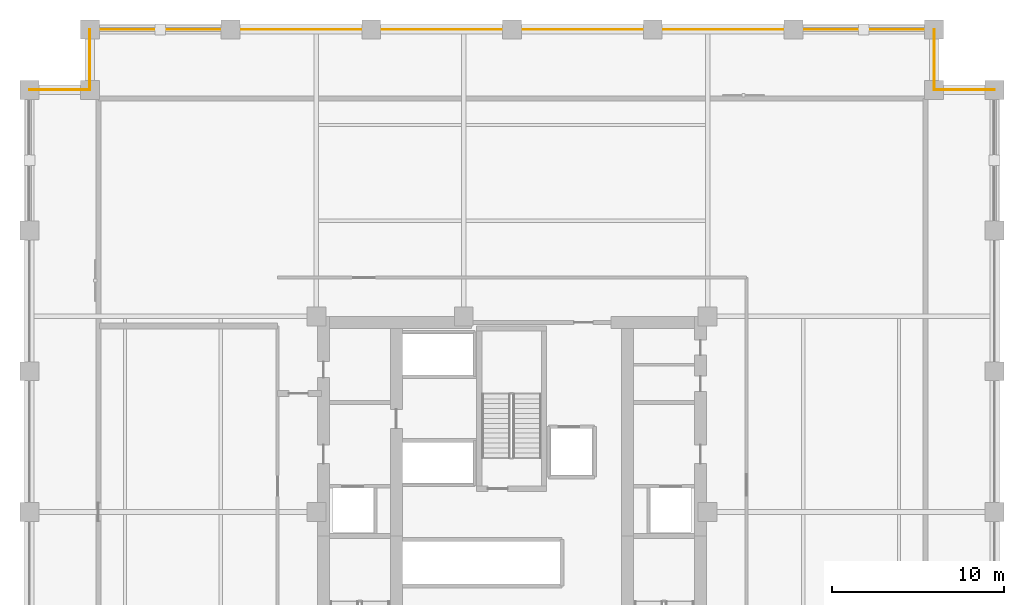
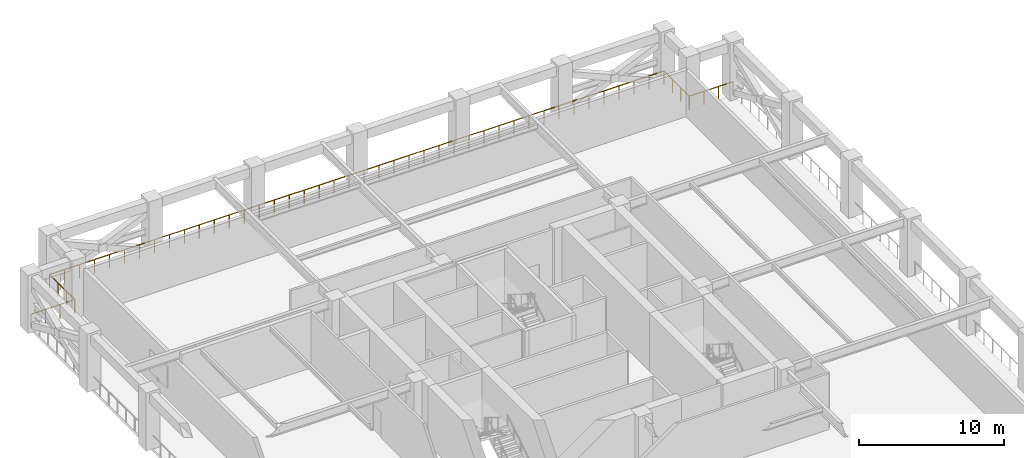
# One storey, part 11 of 11: 5 railings.
"""IFC4 building model written with IfcOpenShell, lengths in metres."""

from ifc_helpers import new_model, si_unit, direction, frame, origin, origin_2d, place, context, subcontext, project, spatial, circle, extrude, material, type_object, element, save


model = new_model("IFC4")

# Units and contexts
model_context = context("Model", 3, precision=1e-05, world=origin(), true_north=direction((0.0, 1.0)))
body_context = subcontext(model_context, "Body", "Model", "MODEL_VIEW")
ifc_project = project(units=[si_unit("LENGTHUNIT", "METRE"), si_unit("AREAUNIT", "SQUARE_METRE"), si_unit("VOLUMEUNIT", "CUBIC_METRE"), si_unit("PLANEANGLEUNIT", "RADIAN"), si_unit("MASSUNIT", "GRAM", prefix="KILO")], contexts=[model_context])

# Site, building, storey
site_placement = place(None, origin())
site = spatial("IfcSite", under=ifc_project, at=site_placement, CompositionType="ELEMENT")
building_placement = place(site_placement, origin())
building = spatial("IfcBuilding", under=site, at=building_placement, Name="Nhamokura Convention Tower", CompositionType="ELEMENT")
storey_placement = place(building_placement, frame((0.0, 0.0, 77.35009765625)))
storey = spatial("IfcBuildingStorey", under=building, at=storey_placement, Name="L18", CompositionType="ELEMENT", Elevation=77.35009765625)

# Railings
ifc_material = material(Name="Anodised bronze stainless steel", Category="steel")
railing_type = type_object("IfcRailingType", Name="TerraceGuardrail_1150", PredefinedType="GUARDRAIL", material=ifc_material)
railing_1_placement = place(storey_placement, frame((60.0, 56.5, 0.0)))
element("IfcRailing", 1, at=railing_1_placement, inside=storey, type_object=railing_type, Name="L18 Perimeter Guardrail 05", PredefinedType="GUARDRAIL", context=body_context, shape_type="SweptSolid", body=[
    extrude(circle(Radius=0.02392578125, at=origin_2d()), frame((0.0, 0.0, 1.1259765625), z_axis=(-1.0, 0.0, 0.0), x_axis=(0.0, -1.0, 0.0)), (0.0, 0.0, 1.0), 3.5),
    extrude(circle(Radius=0.02099609375, at=origin_2d()), origin(), (0.0, 0.0, 1.0), 1.101806640625),
    extrude(circle(Radius=0.02099609375, at=origin_2d()), frame((-1.166748046875, 0.0, 0.0)), (0.0, 0.0, 1.0), 1.101806640625),
    extrude(circle(Radius=0.02099609375, at=origin_2d()), frame((-2.333251953125, 0.0, 0.0)), (0.0, 0.0, 1.0), 1.101806640625),
    extrude(circle(Radius=0.02099609375, at=origin_2d()), frame((-3.5, 0.0, 0.0)), (0.0, 0.0, 1.0), 1.101806640625),
])
railing_2_placement = place(storey_placement, frame((56.5, 56.5, 0.0)))
element("IfcRailing", 2, at=railing_2_placement, inside=storey, type_object=railing_type, Name="L18 Perimeter Guardrail 06", PredefinedType="GUARDRAIL", context=body_context, shape_type="SweptSolid", body=[
    extrude(circle(Radius=0.02392578125, at=origin_2d()), frame((0.0, 0.0, 1.1259765625), z_axis=(0.0, 1.0, 0.0), x_axis=(-1.0, 0.0, 0.0)), (0.0, 0.0, 1.0), 3.5),
    extrude(circle(Radius=0.02099609375, at=origin_2d()), origin(), (0.0, 0.0, 1.0), 1.101806640625),
    extrude(circle(Radius=0.02099609375, at=origin_2d()), frame((0.0, 1.166748046875, 0.0)), (0.0, 0.0, 1.0), 1.101806640625),
    extrude(circle(Radius=0.02099609375, at=origin_2d()), frame((0.0, 2.333251953125, 0.0)), (0.0, 0.0, 1.0), 1.101806640625),
    extrude(circle(Radius=0.02099609375, at=origin_2d()), frame((0.0, 3.5, 0.0)), (0.0, 0.0, 1.0), 1.101806640625),
])
railing_3_placement = place(storey_placement, frame((56.5, 60.0, 0.0)))
element("IfcRailing", 3, at=railing_3_placement, inside=storey, type_object=railing_type, Name="L18 Perimeter Guardrail 07", PredefinedType="GUARDRAIL", context=body_context, shape_type="SweptSolid", body=[
    extrude(circle(Radius=0.02392578125, at=origin_2d()), frame((0.0, 0.0, 1.1259765625), z_axis=(-1.0, 0.0, 0.0), x_axis=(0.0, -1.0, 0.0)), (0.0, 0.0, 1.0), 49.0),
    extrude(circle(Radius=0.02099609375, at=origin_2d()), origin(), (0.0, 0.0, 1.0), 1.101806640625),
    extrude(circle(Radius=0.02099609375, at=origin_2d()), frame((-1.195068359375, 0.0, 0.0)), (0.0, 0.0, 1.0), 1.101806640625),
    extrude(circle(Radius=0.02099609375, at=origin_2d()), frame((-2.39013671875, 0.0, 0.0)), (0.0, 0.0, 1.0), 1.101806640625),
    extrude(circle(Radius=0.02099609375, at=origin_2d()), frame((-3.58544921875, 0.0, 0.0)), (0.0, 0.0, 1.0), 1.101806640625),
    extrude(circle(Radius=0.02099609375, at=origin_2d()), frame((-4.780517578125, 0.0, 0.0)), (0.0, 0.0, 1.0), 1.101806640625),
    extrude(circle(Radius=0.02099609375, at=origin_2d()), frame((-5.9755859375, 0.0, 0.0)), (0.0, 0.0, 1.0), 1.101806640625),
    extrude(circle(Radius=0.02099609375, at=origin_2d()), frame((-7.170654296875, 0.0, 0.0)), (0.0, 0.0, 1.0), 1.101806640625),
    extrude(circle(Radius=0.02099609375, at=origin_2d()), frame((-8.365966796875, 0.0, 0.0)), (0.0, 0.0, 1.0), 1.101806640625),
    extrude(circle(Radius=0.02099609375, at=origin_2d()), frame((-9.56103515625, 0.0, 0.0)), (0.0, 0.0, 1.0), 1.101806640625),
    extrude(circle(Radius=0.02099609375, at=origin_2d()), frame((-10.756103515625, 0.0, 0.0)), (0.0, 0.0, 1.0), 1.101806640625),
    extrude(circle(Radius=0.02099609375, at=origin_2d()), frame((-11.951171875, 0.0, 0.0)), (0.0, 0.0, 1.0), 1.101806640625),
    extrude(circle(Radius=0.02099609375, at=origin_2d()), frame((-13.146240234375, 0.0, 0.0)), (0.0, 0.0, 1.0), 1.101806640625),
    extrude(circle(Radius=0.02099609375, at=origin_2d()), frame((-14.341552734375, 0.0, 0.0)), (0.0, 0.0, 1.0), 1.101806640625),
    extrude(circle(Radius=0.02099609375, at=origin_2d()), frame((-15.53662109375, 0.0, 0.0)), (0.0, 0.0, 1.0), 1.101806640625),
    extrude(circle(Radius=0.02099609375, at=origin_2d()), frame((-16.731689453125, 0.0, 0.0)), (0.0, 0.0, 1.0), 1.101806640625),
    extrude(circle(Radius=0.02099609375, at=origin_2d()), frame((-17.9267578125, 0.0, 0.0)), (0.0, 0.0, 1.0), 1.101806640625),
    extrude(circle(Radius=0.02099609375, at=origin_2d()), frame((-19.1220703125, 0.0, 0.0)), (0.0, 0.0, 1.0), 1.101806640625),
    extrude(circle(Radius=0.02099609375, at=origin_2d()), frame((-20.317138671875, 0.0, 0.0)), (0.0, 0.0, 1.0), 1.101806640625),
    extrude(circle(Radius=0.02099609375, at=origin_2d()), frame((-21.51220703125, 0.0, 0.0)), (0.0, 0.0, 1.0), 1.101806640625),
    extrude(circle(Radius=0.02099609375, at=origin_2d()), frame((-22.707275390625, 0.0, 0.0)), (0.0, 0.0, 1.0), 1.101806640625),
    extrude(circle(Radius=0.02099609375, at=origin_2d()), frame((-23.90234375, 0.0, 0.0)), (0.0, 0.0, 1.0), 1.101806640625),
    extrude(circle(Radius=0.02099609375, at=origin_2d()), frame((-25.09765625, 0.0, 0.0)), (0.0, 0.0, 1.0), 1.101806640625),
    extrude(circle(Radius=0.02099609375, at=origin_2d()), frame((-26.292724609375, 0.0, 0.0)), (0.0, 0.0, 1.0), 1.101806640625),
    extrude(circle(Radius=0.02099609375, at=origin_2d()), frame((-27.48779296875, 0.0, 0.0)), (0.0, 0.0, 1.0), 1.101806640625),
    extrude(circle(Radius=0.02099609375, at=origin_2d()), frame((-28.682861328125, 0.0, 0.0)), (0.0, 0.0, 1.0), 1.101806640625),
    extrude(circle(Radius=0.02099609375, at=origin_2d()), frame((-29.8779296875, 0.0, 0.0)), (0.0, 0.0, 1.0), 1.101806640625),
    extrude(circle(Radius=0.02099609375, at=origin_2d()), frame((-31.0732421875, 0.0, 0.0)), (0.0, 0.0, 1.0), 1.101806640625),
    extrude(circle(Radius=0.02099609375, at=origin_2d()), frame((-32.268310546875, 0.0, 0.0)), (0.0, 0.0, 1.0), 1.101806640625),
    extrude(circle(Radius=0.02099609375, at=origin_2d()), frame((-33.46337890625, 0.0, 0.0)), (0.0, 0.0, 1.0), 1.101806640625),
    extrude(circle(Radius=0.02099609375, at=origin_2d()), frame((-34.658447265625, 0.0, 0.0)), (0.0, 0.0, 1.0), 1.101806640625),
    extrude(circle(Radius=0.02099609375, at=origin_2d()), frame((-35.853759765625, 0.0, 0.0)), (0.0, 0.0, 1.0), 1.101806640625),
    extrude(circle(Radius=0.02099609375, at=origin_2d()), frame((-37.048828125, 0.0, 0.0)), (0.0, 0.0, 1.0), 1.101806640625),
    extrude(circle(Radius=0.02099609375, at=origin_2d()), frame((-38.243896484375, 0.0, 0.0)), (0.0, 0.0, 1.0), 1.101806640625),
    extrude(circle(Radius=0.02099609375, at=origin_2d()), frame((-39.43896484375, 0.0, 0.0)), (0.0, 0.0, 1.0), 1.101806640625),
    extrude(circle(Radius=0.02099609375, at=origin_2d()), frame((-40.634033203125, 0.0, 0.0)), (0.0, 0.0, 1.0), 1.101806640625),
    extrude(circle(Radius=0.02099609375, at=origin_2d()), frame((-41.829345703125, 0.0, 0.0)), (0.0, 0.0, 1.0), 1.101806640625),
    extrude(circle(Radius=0.02099609375, at=origin_2d()), frame((-43.0244140625, 0.0, 0.0)), (0.0, 0.0, 1.0), 1.101806640625),
    extrude(circle(Radius=0.02099609375, at=origin_2d()), frame((-44.219482421875, 0.0, 0.0)), (0.0, 0.0, 1.0), 1.101806640625),
    extrude(circle(Radius=0.02099609375, at=origin_2d()), frame((-45.41455078125, 0.0, 0.0)), (0.0, 0.0, 1.0), 1.101806640625),
    extrude(circle(Radius=0.02099609375, at=origin_2d()), frame((-46.60986328125, 0.0, 0.0)), (0.0, 0.0, 1.0), 1.101806640625),
    extrude(circle(Radius=0.02099609375, at=origin_2d()), frame((-47.804931640625, 0.0, 0.0)), (0.0, 0.0, 1.0), 1.101806640625),
    extrude(circle(Radius=0.02099609375, at=origin_2d()), frame((-49.0, 0.0, 0.0)), (0.0, 0.0, 1.0), 1.101806640625),
])
railing_4_placement = place(storey_placement, frame((7.5, 60.0, 0.0)))
element("IfcRailing", 4, at=railing_4_placement, inside=storey, type_object=railing_type, Name="L18 Perimeter Guardrail 08", PredefinedType="GUARDRAIL", context=body_context, shape_type="SweptSolid", body=[
    extrude(circle(Radius=0.02392578125, at=origin_2d()), frame((0.0, 0.0, 1.1259765625), z_axis=(0.0, -1.0, 0.0), x_axis=(1.0, 0.0, 0.0)), (0.0, 0.0, 1.0), 3.5),
    extrude(circle(Radius=0.02099609375, at=origin_2d()), origin(), (0.0, 0.0, 1.0), 1.101806640625),
    extrude(circle(Radius=0.02099609375, at=origin_2d()), frame((0.0, -1.166748046875, 0.0)), (0.0, 0.0, 1.0), 1.101806640625),
    extrude(circle(Radius=0.02099609375, at=origin_2d()), frame((0.0, -2.333251953125, 0.0)), (0.0, 0.0, 1.0), 1.101806640625),
    extrude(circle(Radius=0.02099609375, at=origin_2d()), frame((0.0, -3.5, 0.0)), (0.0, 0.0, 1.0), 1.101806640625),
])
railing_5_placement = place(storey_placement, frame((7.5, 56.5, 0.0)))
element("IfcRailing", 5, at=railing_5_placement, inside=storey, type_object=railing_type, Name="L18 Perimeter Guardrail 09", PredefinedType="GUARDRAIL", context=body_context, shape_type="SweptSolid", body=[
    extrude(circle(Radius=0.02392578125, at=origin_2d()), frame((0.0, 0.0, 1.1259765625), z_axis=(-1.0, 0.0, 0.0), x_axis=(0.0, -1.0, 0.0)), (0.0, 0.0, 1.0), 3.5),
    extrude(circle(Radius=0.02099609375, at=origin_2d()), origin(), (0.0, 0.0, 1.0), 1.101806640625),
    extrude(circle(Radius=0.02099609375, at=origin_2d()), frame((-1.166748046875, 0.0, 0.0)), (0.0, 0.0, 1.0), 1.101806640625),
    extrude(circle(Radius=0.02099609375, at=origin_2d()), frame((-2.333251953125, 0.0, 0.0)), (0.0, 0.0, 1.0), 1.101806640625),
    extrude(circle(Radius=0.02099609375, at=origin_2d()), frame((-3.5, 0.0, 0.0)), (0.0, 0.0, 1.0), 1.101806640625),
])

save(model, "model.ifc")
